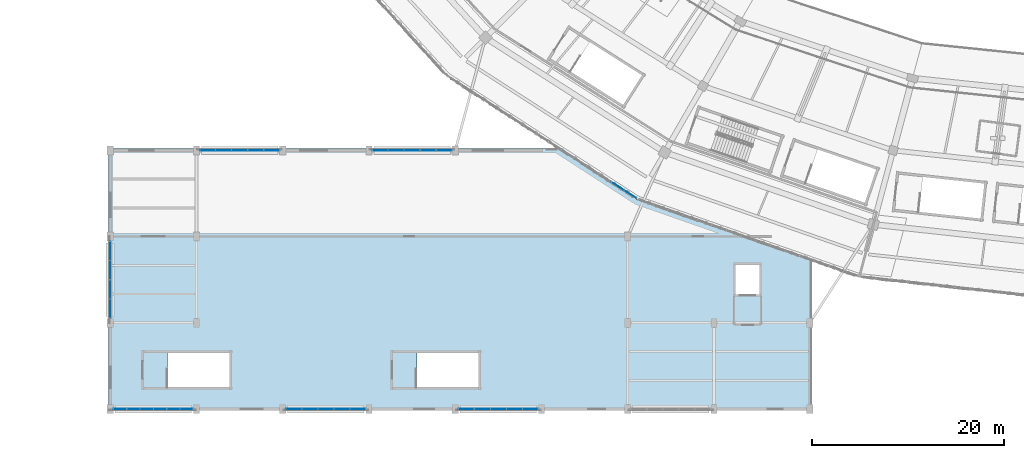
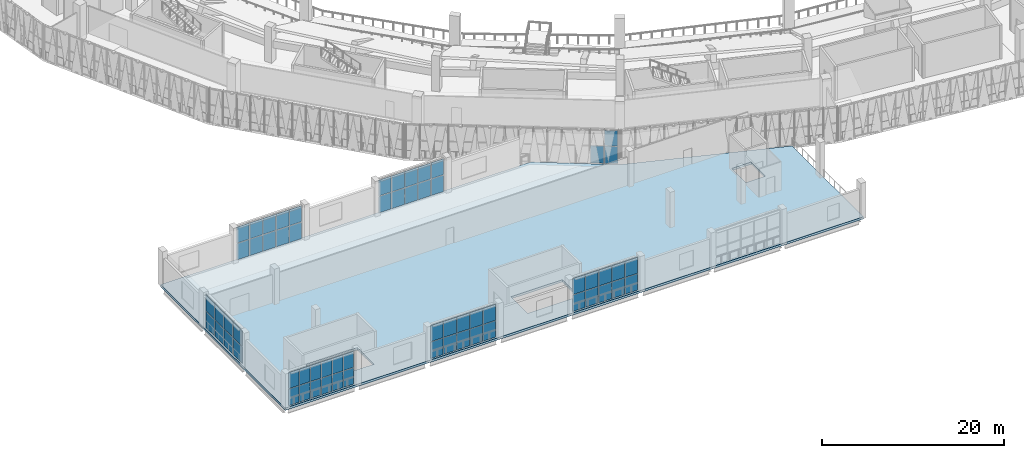
# One storey, part 70 of 152: 63 plates, 1 slab, 7 elements without a shape of their own.
"""IFC4 building model written with IfcOpenShell, lengths in metres."""

from ifc_helpers import new_model, si_unit, direction, frame, origin, origin_2d, place, context, subcontext, project, spatial, polyline, rectangle, outline, extrude, material, layer, layer_set, type_object, element, aggregate, save


model = new_model("IFC4")

# Units and contexts
model_context = context("Model", 3, precision=1e-05, world=origin(), true_north=direction((0.0, 1.0)))
body_context = subcontext(model_context, "Body", "Model", "MODEL_VIEW")
ifc_project = project(units=[si_unit("LENGTHUNIT", "METRE"), si_unit("AREAUNIT", "SQUARE_METRE"), si_unit("VOLUMEUNIT", "CUBIC_METRE"), si_unit("PLANEANGLEUNIT", "RADIAN"), si_unit("MASSUNIT", "GRAM", prefix="KILO")], contexts=[model_context])

# Site, building, storey
site_placement = place(None, origin())
site = spatial("IfcSite", under=ifc_project, at=site_placement, CompositionType="ELEMENT")
building_placement = place(site_placement, origin())
building = spatial("IfcBuilding", under=site, at=building_placement, Name="Zevraka Park Crest Stadium", CompositionType="ELEMENT")
storey_placement = place(building_placement, frame((0.0, 0.0, 15.0)))
storey = spatial("IfcBuildingStorey", under=building, at=storey_placement, Name="L03", CompositionType="ELEMENT", Elevation=15.0)

# Curtain wall, plates
ifc_material_1 = material(Name="Anodised architectural aluminium and laminated safety glass", Category="aluminium")
curtain_wall_type_1 = type_object("IfcCurtainWallType", Name="CW13", PredefinedType="NOTDEFINED", material=ifc_material_1)
curtain_wall_1_placement = place(storey_placement, origin())
curtain_wall_1 = element("IfcCurtainWall", 1, at=curtain_wall_1_placement, inside=storey, type_object=curtain_wall_type_1, Name="Unitised Ring Curtain Wall CW13 L03-15", PredefinedType="NOTDEFINED")
ifc_material_2 = material(Name="Solar-control laminated double glazing", Category="glass")
ifc_layer_1 = layer(ifc_material_2, 0.031982421875)
ifc_layer_set_1 = layer_set([ifc_layer_1], Name="Solar-control laminated double glazing")
plate_type_1 = type_object("IfcPlateType", Name="CP13", PredefinedType="CURTAIN_PANEL", material=ifc_layer_set_1)
plate_1_placement = place(storey_placement, frame((61.961181640625, 23.26708984375, 0.06005859375), z_axis=(0.0, 0.0, 1.0), x_axis=(0.839429134517, -0.543469160232, 0.0)))
plate_1 = element("IfcPlate", 2, at=plate_1_placement, type_object=plate_type_1, Name="CW13 panel 14.1", PredefinedType="CURTAIN_PANEL", context=body_context, shape_type="SweptSolid", body=[
    extrude(rectangle(XDim=1.500244140625, YDim=0.031982421875, at=origin_2d()), origin(), (0.0, 0.0, 1.0), 2.31005859375),
])
plate_2_placement = place(storey_placement, frame((63.258544921875, 22.42724609375, 0.06005859375), z_axis=(0.0, 0.0, 1.0), x_axis=(0.839429134517, -0.543469160232, 0.0)))
plate_2 = element("IfcPlate", 3, at=plate_2_placement, type_object=plate_type_1, Name="CW13 panel 15.1", PredefinedType="CURTAIN_PANEL", context=body_context, shape_type="SweptSolid", body=[
    extrude(rectangle(XDim=1.470458984375, YDim=0.031982421875, at=origin_2d()), origin(), (0.0, 0.0, 1.0), 2.31005859375),
])
plate_3_placement = place(storey_placement, frame((63.258544921875, 22.42724609375, 2.43017578125), z_axis=(0.0, 0.0, 1.0), x_axis=(0.839429134517, -0.543469160232, 0.0)))
plate_3 = element("IfcPlate", 4, at=plate_3_placement, type_object=plate_type_1, Name="CW13 panel 15.2", PredefinedType="CURTAIN_PANEL", context=body_context, shape_type="SweptSolid", body=[
    extrude(rectangle(XDim=1.470458984375, YDim=0.031982421875, at=origin_2d()), origin(), (0.0, 0.0, 1.0), 2.050048828125),
])
aggregate(curtain_wall_1, [plate_1, plate_2, plate_3])

ifc_material_3 = material(Name="Anodised architectural aluminium and laminated safety glass", Category="aluminium")
curtain_wall_type_2 = type_object("IfcCurtainWallType", Name="CW26", PredefinedType="NOTDEFINED", material=ifc_material_3)
curtain_wall_2_placement = place(storey_placement, origin())
curtain_wall_2 = element("IfcCurtainWall", 5, at=curtain_wall_2_placement, inside=storey, type_object=curtain_wall_type_2, Name="Wing Curtain Wall CW26 L03-SW-S3-8", PredefinedType="NOTDEFINED")
ifc_material_4 = material(Name="Solar-control laminated double glazing", Category="glass")
ifc_layer_2 = layer(ifc_material_4, 0.035888671875)
ifc_layer_set_2 = layer_set([ifc_layer_2], Name="Solar-control laminated double glazing")
plate_type_2 = type_object("IfcPlateType", Name="CP26", PredefinedType="CURTAIN_PANEL", material=ifc_layer_set_2)
plate_4_placement = place(storey_placement, frame((16.97119140625, 0.0, 0.06494140625), z_axis=(0.0, 0.0, 1.0), x_axis=(-1.0, 0.0, 0.0)))
plate_4 = element("IfcPlate", 6, at=plate_4_placement, type_object=plate_type_2, Name="CW26 panel 1.1", PredefinedType="CURTAIN_PANEL", context=body_context, shape_type="SweptSolid", body=[
    extrude(rectangle(XDim=1.297607421875, YDim=0.035888671875, at=origin_2d()), origin(), (0.0, 0.0, 1.0), 2.202392578125),
])
plate_5_placement = place(storey_placement, frame((16.97119140625, 0.0, 2.33251953125), z_axis=(0.0, 0.0, 1.0), x_axis=(-1.0, 0.0, 0.0)))
plate_5 = element("IfcPlate", 7, at=plate_5_placement, type_object=plate_type_2, Name="CW26 panel 1.2", PredefinedType="CURTAIN_PANEL", context=body_context, shape_type="SweptSolid", body=[
    extrude(rectangle(XDim=1.297607421875, YDim=0.035888671875, at=origin_2d()), origin(), (0.0, 0.0, 1.0), 2.142578125),
])
plate_6_placement = place(storey_placement, frame((15.592529296875, 0.0, 0.06494140625), z_axis=(0.0, 0.0, 1.0), x_axis=(-1.0, 0.0, 0.0)))
plate_6 = element("IfcPlate", 8, at=plate_6_placement, type_object=plate_type_2, Name="CW26 panel 2.1", PredefinedType="CURTAIN_PANEL", context=body_context, shape_type="SweptSolid", body=[
    extrude(rectangle(XDim=1.330078125, YDim=0.035888671875, at=origin_2d()), origin(), (0.0, 0.0, 1.0), 2.202392578125),
])
plate_7_placement = place(storey_placement, frame((15.592529296875, 0.0, 2.33251953125), z_axis=(0.0, 0.0, 1.0), x_axis=(-1.0, 0.0, 0.0)))
plate_7 = element("IfcPlate", 9, at=plate_7_placement, type_object=plate_type_2, Name="CW26 panel 2.2", PredefinedType="CURTAIN_PANEL", context=body_context, shape_type="SweptSolid", body=[
    extrude(rectangle(XDim=1.330078125, YDim=0.035888671875, at=origin_2d()), origin(), (0.0, 0.0, 1.0), 2.142578125),
])
plate_8_placement = place(storey_placement, frame((14.197509765625, 0.0, 0.06494140625), z_axis=(0.0, 0.0, 1.0), x_axis=(-1.0, 0.0, 0.0)))
plate_8 = element("IfcPlate", 10, at=plate_8_placement, type_object=plate_type_2, Name="CW26 panel 3.1", PredefinedType="CURTAIN_PANEL", context=body_context, shape_type="SweptSolid", body=[
    extrude(rectangle(XDim=1.330078125, YDim=0.035888671875, at=origin_2d()), origin(), (0.0, 0.0, 1.0), 2.202392578125),
])
plate_9_placement = place(storey_placement, frame((14.197509765625, 0.0, 2.33251953125), z_axis=(0.0, 0.0, 1.0), x_axis=(-1.0, 0.0, 0.0)))
plate_9 = element("IfcPlate", 11, at=plate_9_placement, type_object=plate_type_2, Name="CW26 panel 3.2", PredefinedType="CURTAIN_PANEL", context=body_context, shape_type="SweptSolid", body=[
    extrude(rectangle(XDim=1.330078125, YDim=0.035888671875, at=origin_2d()), origin(), (0.0, 0.0, 1.0), 2.142578125),
])
plate_10_placement = place(storey_placement, frame((12.802490234375, 0.0, 0.06494140625), z_axis=(0.0, 0.0, 1.0), x_axis=(-1.0, 0.0, 0.0)))
plate_10 = element("IfcPlate", 12, at=plate_10_placement, type_object=plate_type_2, Name="CW26 panel 4.1", PredefinedType="CURTAIN_PANEL", context=body_context, shape_type="SweptSolid", body=[
    extrude(rectangle(XDim=1.330078125, YDim=0.035888671875, at=origin_2d()), origin(), (0.0, 0.0, 1.0), 2.202392578125),
])
plate_11_placement = place(storey_placement, frame((12.802490234375, 0.0, 2.33251953125), z_axis=(0.0, 0.0, 1.0), x_axis=(-1.0, 0.0, 0.0)))
plate_11 = element("IfcPlate", 13, at=plate_11_placement, type_object=plate_type_2, Name="CW26 panel 4.2", PredefinedType="CURTAIN_PANEL", context=body_context, shape_type="SweptSolid", body=[
    extrude(rectangle(XDim=1.330078125, YDim=0.035888671875, at=origin_2d()), origin(), (0.0, 0.0, 1.0), 2.142578125),
])
plate_12_placement = place(storey_placement, frame((11.407470703125, 0.0, 0.06494140625), z_axis=(0.0, 0.0, 1.0), x_axis=(-1.0, 0.0, 0.0)))
plate_12 = element("IfcPlate", 14, at=plate_12_placement, type_object=plate_type_2, Name="CW26 panel 5.1", PredefinedType="CURTAIN_PANEL", context=body_context, shape_type="SweptSolid", body=[
    extrude(rectangle(XDim=1.330078125, YDim=0.035888671875, at=origin_2d()), origin(), (0.0, 0.0, 1.0), 2.202392578125),
])
plate_13_placement = place(storey_placement, frame((11.407470703125, 0.0, 2.33251953125), z_axis=(0.0, 0.0, 1.0), x_axis=(-1.0, 0.0, 0.0)))
plate_13 = element("IfcPlate", 15, at=plate_13_placement, type_object=plate_type_2, Name="CW26 panel 5.2", PredefinedType="CURTAIN_PANEL", context=body_context, shape_type="SweptSolid", body=[
    extrude(rectangle(XDim=1.330078125, YDim=0.035888671875, at=origin_2d()), origin(), (0.0, 0.0, 1.0), 2.142578125),
])
plate_14_placement = place(storey_placement, frame((10.02880859375, 0.0, 0.06494140625), z_axis=(0.0, 0.0, 1.0), x_axis=(-1.0, 0.0, 0.0)))
plate_14 = element("IfcPlate", 16, at=plate_14_placement, type_object=plate_type_2, Name="CW26 panel 6.1", PredefinedType="CURTAIN_PANEL", context=body_context, shape_type="SweptSolid", body=[
    extrude(rectangle(XDim=1.297607421875, YDim=0.035888671875, at=origin_2d()), origin(), (0.0, 0.0, 1.0), 2.202392578125),
])
plate_15_placement = place(storey_placement, frame((10.02880859375, 0.0, 2.33251953125), z_axis=(0.0, 0.0, 1.0), x_axis=(-1.0, 0.0, 0.0)))
plate_15 = element("IfcPlate", 17, at=plate_15_placement, type_object=plate_type_2, Name="CW26 panel 6.2", PredefinedType="CURTAIN_PANEL", context=body_context, shape_type="SweptSolid", body=[
    extrude(rectangle(XDim=1.297607421875, YDim=0.035888671875, at=origin_2d()), origin(), (0.0, 0.0, 1.0), 2.142578125),
])
aggregate(curtain_wall_2, [plate_4, plate_5, plate_6, plate_7, plate_8, plate_9, plate_10, plate_11, plate_12, plate_13, plate_14, plate_15])

ifc_material_5 = material(Name="Anodised architectural aluminium and laminated safety glass", Category="aluminium")
curtain_wall_type_3 = type_object("IfcCurtainWallType", Name="CW27", PredefinedType="NOTDEFINED", material=ifc_material_5)
curtain_wall_3_placement = place(storey_placement, origin())
curtain_wall_3 = element("IfcCurtainWall", 18, at=curtain_wall_3_placement, inside=storey, type_object=curtain_wall_type_3, Name="Wing Curtain Wall CW27 L03-SW-S3-4", PredefinedType="NOTDEFINED")
ifc_material_6 = material(Name="Solar-control laminated double glazing", Category="glass")
ifc_layer_3 = layer(ifc_material_6, 0.035888671875)
ifc_layer_set_3 = layer_set([ifc_layer_3], Name="Solar-control laminated double glazing")
plate_type_3 = type_object("IfcPlateType", Name="CP27", PredefinedType="CURTAIN_PANEL", material=ifc_layer_set_3)
plate_16_placement = place(storey_placement, frame((52.83056640625, 0.0, 0.06982421875), z_axis=(0.0, 0.0, 1.0), x_axis=(-1.0, 0.0, 0.0)))
plate_16 = element("IfcPlate", 19, at=plate_16_placement, type_object=plate_type_3, Name="CW27 panel 1.1", PredefinedType="CURTAIN_PANEL", context=body_context, shape_type="SweptSolid", body=[
    extrude(rectangle(XDim=1.569091796875, YDim=0.035888671875, at=origin_2d()), origin(), (0.0, 0.0, 1.0), 2.195068359375),
])
plate_17_placement = place(storey_placement, frame((52.83056640625, 0.0, 2.3349609375), z_axis=(0.0, 0.0, 1.0), x_axis=(-1.0, 0.0, 0.0)))
plate_17 = element("IfcPlate", 20, at=plate_17_placement, type_object=plate_type_3, Name="CW27 panel 1.2", PredefinedType="CURTAIN_PANEL", context=body_context, shape_type="SweptSolid", body=[
    extrude(rectangle(XDim=1.569091796875, YDim=0.035888671875, at=origin_2d()), origin(), (0.0, 0.0, 1.0), 2.135009765625),
])
plate_18_placement = place(storey_placement, frame((51.174072265625, 0.0, 0.06982421875), z_axis=(0.0, 0.0, 1.0), x_axis=(-1.0, 0.0, 0.0)))
plate_18 = element("IfcPlate", 21, at=plate_18_placement, type_object=plate_type_3, Name="CW27 panel 2.1", PredefinedType="CURTAIN_PANEL", context=body_context, shape_type="SweptSolid", body=[
    extrude(rectangle(XDim=1.60400390625, YDim=0.035888671875, at=origin_2d()), origin(), (0.0, 0.0, 1.0), 2.195068359375),
])
plate_19_placement = place(storey_placement, frame((51.174072265625, 0.0, 2.3349609375), z_axis=(0.0, 0.0, 1.0), x_axis=(-1.0, 0.0, 0.0)))
plate_19 = element("IfcPlate", 22, at=plate_19_placement, type_object=plate_type_3, Name="CW27 panel 2.2", PredefinedType="CURTAIN_PANEL", context=body_context, shape_type="SweptSolid", body=[
    extrude(rectangle(XDim=1.60400390625, YDim=0.035888671875, at=origin_2d()), origin(), (0.0, 0.0, 1.0), 2.135009765625),
])
plate_20_placement = place(storey_placement, frame((49.5, 0.0, 0.06982421875), z_axis=(0.0, 0.0, 1.0), x_axis=(-1.0, 0.0, 0.0)))
plate_20 = element("IfcPlate", 23, at=plate_20_placement, type_object=plate_type_3, Name="CW27 panel 3.1", PredefinedType="CURTAIN_PANEL", context=body_context, shape_type="SweptSolid", body=[
    extrude(rectangle(XDim=1.60400390625, YDim=0.035888671875, at=origin_2d()), origin(), (0.0, 0.0, 1.0), 2.195068359375),
])
plate_21_placement = place(storey_placement, frame((49.5, 0.0, 2.3349609375), z_axis=(0.0, 0.0, 1.0), x_axis=(-1.0, 0.0, 0.0)))
plate_21 = element("IfcPlate", 24, at=plate_21_placement, type_object=plate_type_3, Name="CW27 panel 3.2", PredefinedType="CURTAIN_PANEL", context=body_context, shape_type="SweptSolid", body=[
    extrude(rectangle(XDim=1.60400390625, YDim=0.035888671875, at=origin_2d()), origin(), (0.0, 0.0, 1.0), 2.135009765625),
])
plate_22_placement = place(storey_placement, frame((47.825927734375, 0.0, 0.06982421875), z_axis=(0.0, 0.0, 1.0), x_axis=(-1.0, 0.0, 0.0)))
plate_22 = element("IfcPlate", 25, at=plate_22_placement, type_object=plate_type_3, Name="CW27 panel 4.1", PredefinedType="CURTAIN_PANEL", context=body_context, shape_type="SweptSolid", body=[
    extrude(rectangle(XDim=1.60400390625, YDim=0.035888671875, at=origin_2d()), origin(), (0.0, 0.0, 1.0), 2.195068359375),
])
plate_23_placement = place(storey_placement, frame((47.825927734375, 0.0, 2.3349609375), z_axis=(0.0, 0.0, 1.0), x_axis=(-1.0, 0.0, 0.0)))
plate_23 = element("IfcPlate", 26, at=plate_23_placement, type_object=plate_type_3, Name="CW27 panel 4.2", PredefinedType="CURTAIN_PANEL", context=body_context, shape_type="SweptSolid", body=[
    extrude(rectangle(XDim=1.60400390625, YDim=0.035888671875, at=origin_2d()), origin(), (0.0, 0.0, 1.0), 2.135009765625),
])
plate_24_placement = place(storey_placement, frame((46.16943359375, 0.0, 0.06982421875), z_axis=(0.0, 0.0, 1.0), x_axis=(-1.0, 0.0, 0.0)))
plate_24 = element("IfcPlate", 27, at=plate_24_placement, type_object=plate_type_3, Name="CW27 panel 5.1", PredefinedType="CURTAIN_PANEL", context=body_context, shape_type="SweptSolid", body=[
    extrude(rectangle(XDim=1.569091796875, YDim=0.035888671875, at=origin_2d()), origin(), (0.0, 0.0, 1.0), 2.195068359375),
])
plate_25_placement = place(storey_placement, frame((46.16943359375, 0.0, 2.3349609375), z_axis=(0.0, 0.0, 1.0), x_axis=(-1.0, 0.0, 0.0)))
plate_25 = element("IfcPlate", 28, at=plate_25_placement, type_object=plate_type_3, Name="CW27 panel 5.2", PredefinedType="CURTAIN_PANEL", context=body_context, shape_type="SweptSolid", body=[
    extrude(rectangle(XDim=1.569091796875, YDim=0.035888671875, at=origin_2d()), origin(), (0.0, 0.0, 1.0), 2.135009765625),
])
aggregate(curtain_wall_3, [plate_16, plate_17, plate_18, plate_19, plate_20, plate_21, plate_22, plate_23, plate_24, plate_25])

curtain_wall_4_placement = place(storey_placement, origin())
curtain_wall_4 = element("IfcCurtainWall", 29, at=curtain_wall_4_placement, inside=storey, type_object=curtain_wall_type_3, Name="Wing Curtain Wall CW27 L03-SW-N-4", PredefinedType="NOTDEFINED")
plate_26_placement = place(storey_placement, frame((37.16943359375, 27.0, 0.06982421875), z_axis=(0.0, 0.0, 1.0), x_axis=(1.0, 0.0, 0.0)))
plate_26 = element("IfcPlate", 30, at=plate_26_placement, type_object=plate_type_3, Name="CW27 panel 1.1", PredefinedType="CURTAIN_PANEL", context=body_context, shape_type="SweptSolid", body=[
    extrude(rectangle(XDim=1.569091796875, YDim=0.035888671875, at=origin_2d()), origin(), (0.0, 0.0, 1.0), 2.195068359375),
])
plate_27_placement = place(storey_placement, frame((37.16943359375, 27.0, 2.3349609375), z_axis=(0.0, 0.0, 1.0), x_axis=(1.0, 0.0, 0.0)))
plate_27 = element("IfcPlate", 31, at=plate_27_placement, type_object=plate_type_3, Name="CW27 panel 1.2", PredefinedType="CURTAIN_PANEL", context=body_context, shape_type="SweptSolid", body=[
    extrude(rectangle(XDim=1.569091796875, YDim=0.035888671875, at=origin_2d()), origin(), (0.0, 0.0, 1.0), 2.135009765625),
])
plate_28_placement = place(storey_placement, frame((38.825927734375, 27.0, 0.06982421875), z_axis=(0.0, 0.0, 1.0), x_axis=(1.0, 0.0, 0.0)))
plate_28 = element("IfcPlate", 32, at=plate_28_placement, type_object=plate_type_3, Name="CW27 panel 2.1", PredefinedType="CURTAIN_PANEL", context=body_context, shape_type="SweptSolid", body=[
    extrude(rectangle(XDim=1.60400390625, YDim=0.035888671875, at=origin_2d()), origin(), (0.0, 0.0, 1.0), 2.195068359375),
])
plate_29_placement = place(storey_placement, frame((38.825927734375, 27.0, 2.3349609375), z_axis=(0.0, 0.0, 1.0), x_axis=(1.0, 0.0, 0.0)))
plate_29 = element("IfcPlate", 33, at=plate_29_placement, type_object=plate_type_3, Name="CW27 panel 2.2", PredefinedType="CURTAIN_PANEL", context=body_context, shape_type="SweptSolid", body=[
    extrude(rectangle(XDim=1.60400390625, YDim=0.035888671875, at=origin_2d()), origin(), (0.0, 0.0, 1.0), 2.135009765625),
])
plate_30_placement = place(storey_placement, frame((40.5, 27.0, 0.06982421875), z_axis=(0.0, 0.0, 1.0), x_axis=(1.0, 0.0, 0.0)))
plate_30 = element("IfcPlate", 34, at=plate_30_placement, type_object=plate_type_3, Name="CW27 panel 3.1", PredefinedType="CURTAIN_PANEL", context=body_context, shape_type="SweptSolid", body=[
    extrude(rectangle(XDim=1.60400390625, YDim=0.035888671875, at=origin_2d()), origin(), (0.0, 0.0, 1.0), 2.195068359375),
])
plate_31_placement = place(storey_placement, frame((40.5, 27.0, 2.3349609375), z_axis=(0.0, 0.0, 1.0), x_axis=(1.0, 0.0, 0.0)))
plate_31 = element("IfcPlate", 35, at=plate_31_placement, type_object=plate_type_3, Name="CW27 panel 3.2", PredefinedType="CURTAIN_PANEL", context=body_context, shape_type="SweptSolid", body=[
    extrude(rectangle(XDim=1.60400390625, YDim=0.035888671875, at=origin_2d()), origin(), (0.0, 0.0, 1.0), 2.135009765625),
])
plate_32_placement = place(storey_placement, frame((42.174072265625, 27.0, 0.06982421875), z_axis=(0.0, 0.0, 1.0), x_axis=(1.0, 0.0, 0.0)))
plate_32 = element("IfcPlate", 36, at=plate_32_placement, type_object=plate_type_3, Name="CW27 panel 4.1", PredefinedType="CURTAIN_PANEL", context=body_context, shape_type="SweptSolid", body=[
    extrude(rectangle(XDim=1.60400390625, YDim=0.035888671875, at=origin_2d()), origin(), (0.0, 0.0, 1.0), 2.195068359375),
])
plate_33_placement = place(storey_placement, frame((42.174072265625, 27.0, 2.3349609375), z_axis=(0.0, 0.0, 1.0), x_axis=(1.0, 0.0, 0.0)))
plate_33 = element("IfcPlate", 37, at=plate_33_placement, type_object=plate_type_3, Name="CW27 panel 4.2", PredefinedType="CURTAIN_PANEL", context=body_context, shape_type="SweptSolid", body=[
    extrude(rectangle(XDim=1.60400390625, YDim=0.035888671875, at=origin_2d()), origin(), (0.0, 0.0, 1.0), 2.135009765625),
])
plate_34_placement = place(storey_placement, frame((43.83056640625, 27.0, 0.06982421875), z_axis=(0.0, 0.0, 1.0), x_axis=(1.0, 0.0, 0.0)))
plate_34 = element("IfcPlate", 38, at=plate_34_placement, type_object=plate_type_3, Name="CW27 panel 5.1", PredefinedType="CURTAIN_PANEL", context=body_context, shape_type="SweptSolid", body=[
    extrude(rectangle(XDim=1.569091796875, YDim=0.035888671875, at=origin_2d()), origin(), (0.0, 0.0, 1.0), 2.195068359375),
])
plate_35_placement = place(storey_placement, frame((43.83056640625, 27.0, 2.3349609375), z_axis=(0.0, 0.0, 1.0), x_axis=(1.0, 0.0, 0.0)))
plate_35 = element("IfcPlate", 39, at=plate_35_placement, type_object=plate_type_3, Name="CW27 panel 5.2", PredefinedType="CURTAIN_PANEL", context=body_context, shape_type="SweptSolid", body=[
    extrude(rectangle(XDim=1.569091796875, YDim=0.035888671875, at=origin_2d()), origin(), (0.0, 0.0, 1.0), 2.135009765625),
])
aggregate(curtain_wall_4, [plate_26, plate_27, plate_28, plate_29, plate_30, plate_31, plate_32, plate_33, plate_34, plate_35])

ifc_material_7 = material(Name="Anodised architectural aluminium and laminated safety glass", Category="aluminium")
curtain_wall_type_4 = type_object("IfcCurtainWallType", Name="CW29", PredefinedType="NOTDEFINED", material=ifc_material_7)
curtain_wall_5_placement = place(storey_placement, origin())
curtain_wall_5 = element("IfcCurtainWall", 40, at=curtain_wall_5_placement, inside=storey, type_object=curtain_wall_type_4, Name="Wing Curtain Wall CW29 L03-SW-S3-6", PredefinedType="NOTDEFINED")
ifc_material_8 = material(Name="Solar-control laminated double glazing", Category="glass")
ifc_layer_4 = layer(ifc_material_8, 0.035888671875)
ifc_layer_set_4 = layer_set([ifc_layer_4], Name="Solar-control laminated double glazing")
plate_type_4 = type_object("IfcPlateType", Name="CP29", PredefinedType="CURTAIN_PANEL", material=ifc_layer_set_4)
plate_36_placement = place(storey_placement, frame((34.831787109375, 0.0, 0.06494140625), z_axis=(0.0, 0.0, 1.0), x_axis=(-1.0, 0.0, 0.0)))
plate_36 = element("IfcPlate", 41, at=plate_36_placement, type_object=plate_type_4, Name="CW29 panel 1.1", PredefinedType="CURTAIN_PANEL", context=body_context, shape_type="SweptSolid", body=[
    extrude(rectangle(XDim=1.576416015625, YDim=0.035888671875, at=origin_2d()), origin(), (0.0, 0.0, 1.0), 2.202392578125),
])
plate_37_placement = place(storey_placement, frame((34.831787109375, 0.0, 2.33251953125), z_axis=(0.0, 0.0, 1.0), x_axis=(-1.0, 0.0, 0.0)))
plate_37 = element("IfcPlate", 42, at=plate_37_placement, type_object=plate_type_4, Name="CW29 panel 1.2", PredefinedType="CURTAIN_PANEL", context=body_context, shape_type="SweptSolid", body=[
    extrude(rectangle(XDim=1.576416015625, YDim=0.035888671875, at=origin_2d()), origin(), (0.0, 0.0, 1.0), 2.142578125),
])
plate_38_placement = place(storey_placement, frame((33.174072265625, 0.0, 0.06494140625), z_axis=(0.0, 0.0, 1.0), x_axis=(-1.0, 0.0, 0.0)))
plate_38 = element("IfcPlate", 43, at=plate_38_placement, type_object=plate_type_4, Name="CW29 panel 2.1", PredefinedType="CURTAIN_PANEL", context=body_context, shape_type="SweptSolid", body=[
    extrude(rectangle(XDim=1.60888671875, YDim=0.035888671875, at=origin_2d()), origin(), (0.0, 0.0, 1.0), 2.202392578125),
])
plate_39_placement = place(storey_placement, frame((33.174072265625, 0.0, 2.33251953125), z_axis=(0.0, 0.0, 1.0), x_axis=(-1.0, 0.0, 0.0)))
plate_39 = element("IfcPlate", 44, at=plate_39_placement, type_object=plate_type_4, Name="CW29 panel 2.2", PredefinedType="CURTAIN_PANEL", context=body_context, shape_type="SweptSolid", body=[
    extrude(rectangle(XDim=1.60888671875, YDim=0.035888671875, at=origin_2d()), origin(), (0.0, 0.0, 1.0), 2.142578125),
])
plate_40_placement = place(storey_placement, frame((31.5, 0.0, 0.06494140625), z_axis=(0.0, 0.0, 1.0), x_axis=(-1.0, 0.0, 0.0)))
plate_40 = element("IfcPlate", 45, at=plate_40_placement, type_object=plate_type_4, Name="CW29 panel 3.1", PredefinedType="CURTAIN_PANEL", context=body_context, shape_type="SweptSolid", body=[
    extrude(rectangle(XDim=1.60888671875, YDim=0.035888671875, at=origin_2d()), origin(), (0.0, 0.0, 1.0), 2.202392578125),
])
plate_41_placement = place(storey_placement, frame((31.5, 0.0, 2.33251953125), z_axis=(0.0, 0.0, 1.0), x_axis=(-1.0, 0.0, 0.0)))
plate_41 = element("IfcPlate", 46, at=plate_41_placement, type_object=plate_type_4, Name="CW29 panel 3.2", PredefinedType="CURTAIN_PANEL", context=body_context, shape_type="SweptSolid", body=[
    extrude(rectangle(XDim=1.60888671875, YDim=0.035888671875, at=origin_2d()), origin(), (0.0, 0.0, 1.0), 2.142578125),
])
plate_42_placement = place(storey_placement, frame((29.825927734375, 0.0, 0.06494140625), z_axis=(0.0, 0.0, 1.0), x_axis=(-1.0, 0.0, 0.0)))
plate_42 = element("IfcPlate", 47, at=plate_42_placement, type_object=plate_type_4, Name="CW29 panel 4.1", PredefinedType="CURTAIN_PANEL", context=body_context, shape_type="SweptSolid", body=[
    extrude(rectangle(XDim=1.60888671875, YDim=0.035888671875, at=origin_2d()), origin(), (0.0, 0.0, 1.0), 2.202392578125),
])
plate_43_placement = place(storey_placement, frame((29.825927734375, 0.0, 2.33251953125), z_axis=(0.0, 0.0, 1.0), x_axis=(-1.0, 0.0, 0.0)))
plate_43 = element("IfcPlate", 48, at=plate_43_placement, type_object=plate_type_4, Name="CW29 panel 4.2", PredefinedType="CURTAIN_PANEL", context=body_context, shape_type="SweptSolid", body=[
    extrude(rectangle(XDim=1.60888671875, YDim=0.035888671875, at=origin_2d()), origin(), (0.0, 0.0, 1.0), 2.142578125),
])
plate_44_placement = place(storey_placement, frame((28.168212890625, 0.0, 0.06494140625), z_axis=(0.0, 0.0, 1.0), x_axis=(-1.0, 0.0, 0.0)))
plate_44 = element("IfcPlate", 49, at=plate_44_placement, type_object=plate_type_4, Name="CW29 panel 5.1", PredefinedType="CURTAIN_PANEL", context=body_context, shape_type="SweptSolid", body=[
    extrude(rectangle(XDim=1.576416015625, YDim=0.035888671875, at=origin_2d()), origin(), (0.0, 0.0, 1.0), 2.202392578125),
])
plate_45_placement = place(storey_placement, frame((28.168212890625, 0.0, 2.33251953125), z_axis=(0.0, 0.0, 1.0), x_axis=(-1.0, 0.0, 0.0)))
plate_45 = element("IfcPlate", 50, at=plate_45_placement, type_object=plate_type_4, Name="CW29 panel 5.2", PredefinedType="CURTAIN_PANEL", context=body_context, shape_type="SweptSolid", body=[
    extrude(rectangle(XDim=1.576416015625, YDim=0.035888671875, at=origin_2d()), origin(), (0.0, 0.0, 1.0), 2.142578125),
])
aggregate(curtain_wall_5, [plate_36, plate_37, plate_38, plate_39, plate_40, plate_41, plate_42, plate_43, plate_44, plate_45])

ifc_material_9 = material(Name="Anodised architectural aluminium and laminated safety glass", Category="aluminium")
curtain_wall_type_5 = type_object("IfcCurtainWallType", Name="CW30", PredefinedType="NOTDEFINED", material=ifc_material_9)
curtain_wall_6_placement = place(storey_placement, origin())
curtain_wall_6 = element("IfcCurtainWall", 51, at=curtain_wall_6_placement, inside=storey, type_object=curtain_wall_type_5, Name="Wing Curtain Wall CW30 L03-SW-W-2", PredefinedType="NOTDEFINED")
ifc_material_10 = material(Name="Solar-control laminated double glazing", Category="glass")
ifc_layer_5 = layer(ifc_material_10, 0.035888671875)
ifc_layer_set_5 = layer_set([ifc_layer_5], Name="Solar-control laminated double glazing")
plate_type_5 = type_object("IfcPlateType", Name="CP30", PredefinedType="CURTAIN_PANEL", material=ifc_layer_set_5)
plate_46_placement = place(storey_placement, frame((9.0, 10.4912109375, 0.06982421875), z_axis=(0.0, 0.0, 1.0), x_axis=(0.0, 1.0, 0.0)))
plate_46 = element("IfcPlate", 52, at=plate_46_placement, type_object=plate_type_5, Name="CW30 panel 1.1", PredefinedType="CURTAIN_PANEL", context=body_context, shape_type="SweptSolid", body=[
    extrude(rectangle(XDim=1.91259765625, YDim=0.035888671875, at=origin_2d()), origin(), (0.0, 0.0, 1.0), 2.195068359375),
])
plate_47_placement = place(storey_placement, frame((9.0, 10.4912109375, 2.3349609375), z_axis=(0.0, 0.0, 1.0), x_axis=(0.0, 1.0, 0.0)))
plate_47 = element("IfcPlate", 53, at=plate_47_placement, type_object=plate_type_5, Name="CW30 panel 1.2", PredefinedType="CURTAIN_PANEL", context=body_context, shape_type="SweptSolid", body=[
    extrude(rectangle(XDim=1.91259765625, YDim=0.035888671875, at=origin_2d()), origin(), (0.0, 0.0, 1.0), 2.135009765625),
])
plate_48_placement = place(storey_placement, frame((9.0, 12.4912109375, 0.06982421875), z_axis=(0.0, 0.0, 1.0), x_axis=(0.0, 1.0, 0.0)))
plate_48 = element("IfcPlate", 54, at=plate_48_placement, type_object=plate_type_5, Name="CW30 panel 2.1", PredefinedType="CURTAIN_PANEL", context=body_context, shape_type="SweptSolid", body=[
    extrude(rectangle(XDim=1.947509765625, YDim=0.035888671875, at=origin_2d()), origin(), (0.0, 0.0, 1.0), 2.195068359375),
])
plate_49_placement = place(storey_placement, frame((9.0, 12.4912109375, 2.3349609375), z_axis=(0.0, 0.0, 1.0), x_axis=(0.0, 1.0, 0.0)))
plate_49 = element("IfcPlate", 55, at=plate_49_placement, type_object=plate_type_5, Name="CW30 panel 2.2", PredefinedType="CURTAIN_PANEL", context=body_context, shape_type="SweptSolid", body=[
    extrude(rectangle(XDim=1.947509765625, YDim=0.035888671875, at=origin_2d()), origin(), (0.0, 0.0, 1.0), 2.135009765625),
])
plate_50_placement = place(storey_placement, frame((9.0, 14.5087890625, 0.06982421875), z_axis=(0.0, 0.0, 1.0), x_axis=(0.0, 1.0, 0.0)))
plate_50 = element("IfcPlate", 56, at=plate_50_placement, type_object=plate_type_5, Name="CW30 panel 3.1", PredefinedType="CURTAIN_PANEL", context=body_context, shape_type="SweptSolid", body=[
    extrude(rectangle(XDim=1.947509765625, YDim=0.035888671875, at=origin_2d()), origin(), (0.0, 0.0, 1.0), 2.195068359375),
])
plate_51_placement = place(storey_placement, frame((9.0, 14.5087890625, 2.3349609375), z_axis=(0.0, 0.0, 1.0), x_axis=(0.0, 1.0, 0.0)))
plate_51 = element("IfcPlate", 57, at=plate_51_placement, type_object=plate_type_5, Name="CW30 panel 3.2", PredefinedType="CURTAIN_PANEL", context=body_context, shape_type="SweptSolid", body=[
    extrude(rectangle(XDim=1.947509765625, YDim=0.035888671875, at=origin_2d()), origin(), (0.0, 0.0, 1.0), 2.135009765625),
])
plate_52_placement = place(storey_placement, frame((9.0, 16.5087890625, 0.06982421875), z_axis=(0.0, 0.0, 1.0), x_axis=(0.0, 1.0, 0.0)))
plate_52 = element("IfcPlate", 58, at=plate_52_placement, type_object=plate_type_5, Name="CW30 panel 4.1", PredefinedType="CURTAIN_PANEL", context=body_context, shape_type="SweptSolid", body=[
    extrude(rectangle(XDim=1.91259765625, YDim=0.035888671875, at=origin_2d()), origin(), (0.0, 0.0, 1.0), 2.195068359375),
])
plate_53_placement = place(storey_placement, frame((9.0, 16.5087890625, 2.3349609375), z_axis=(0.0, 0.0, 1.0), x_axis=(0.0, 1.0, 0.0)))
plate_53 = element("IfcPlate", 59, at=plate_53_placement, type_object=plate_type_5, Name="CW30 panel 4.2", PredefinedType="CURTAIN_PANEL", context=body_context, shape_type="SweptSolid", body=[
    extrude(rectangle(XDim=1.91259765625, YDim=0.035888671875, at=origin_2d()), origin(), (0.0, 0.0, 1.0), 2.135009765625),
])
aggregate(curtain_wall_6, [plate_46, plate_47, plate_48, plate_49, plate_50, plate_51, plate_52, plate_53])

curtain_wall_7_placement = place(storey_placement, origin())
curtain_wall_7 = element("IfcCurtainWall", 60, at=curtain_wall_7_placement, inside=storey, type_object=curtain_wall_type_5, Name="Wing Curtain Wall CW30 L03-SW-N-2", PredefinedType="NOTDEFINED")
plate_54_placement = place(storey_placement, frame((19.16943359375, 27.0, 0.06982421875), z_axis=(0.0, 0.0, 1.0), x_axis=(1.0, 0.0, 0.0)))
plate_54 = element("IfcPlate", 61, at=plate_54_placement, type_object=plate_type_5, Name="CW30 panel 1.1", PredefinedType="CURTAIN_PANEL", context=body_context, shape_type="SweptSolid", body=[
    extrude(rectangle(XDim=1.569091796875, YDim=0.035888671875, at=origin_2d()), origin(), (0.0, 0.0, 1.0), 2.195068359375),
])
plate_55_placement = place(storey_placement, frame((19.16943359375, 27.0, 2.3349609375), z_axis=(0.0, 0.0, 1.0), x_axis=(1.0, 0.0, 0.0)))
plate_55 = element("IfcPlate", 62, at=plate_55_placement, type_object=plate_type_5, Name="CW30 panel 1.2", PredefinedType="CURTAIN_PANEL", context=body_context, shape_type="SweptSolid", body=[
    extrude(rectangle(XDim=1.569091796875, YDim=0.035888671875, at=origin_2d()), origin(), (0.0, 0.0, 1.0), 2.135009765625),
])
plate_56_placement = place(storey_placement, frame((20.825927734375, 27.0, 0.06982421875), z_axis=(0.0, 0.0, 1.0), x_axis=(1.0, 0.0, 0.0)))
plate_56 = element("IfcPlate", 63, at=plate_56_placement, type_object=plate_type_5, Name="CW30 panel 2.1", PredefinedType="CURTAIN_PANEL", context=body_context, shape_type="SweptSolid", body=[
    extrude(rectangle(XDim=1.60400390625, YDim=0.035888671875, at=origin_2d()), origin(), (0.0, 0.0, 1.0), 2.195068359375),
])
plate_57_placement = place(storey_placement, frame((20.825927734375, 27.0, 2.3349609375), z_axis=(0.0, 0.0, 1.0), x_axis=(1.0, 0.0, 0.0)))
plate_57 = element("IfcPlate", 64, at=plate_57_placement, type_object=plate_type_5, Name="CW30 panel 2.2", PredefinedType="CURTAIN_PANEL", context=body_context, shape_type="SweptSolid", body=[
    extrude(rectangle(XDim=1.60400390625, YDim=0.035888671875, at=origin_2d()), origin(), (0.0, 0.0, 1.0), 2.135009765625),
])
plate_58_placement = place(storey_placement, frame((22.5, 27.0, 0.06982421875), z_axis=(0.0, 0.0, 1.0), x_axis=(1.0, 0.0, 0.0)))
plate_58 = element("IfcPlate", 65, at=plate_58_placement, type_object=plate_type_5, Name="CW30 panel 3.1", PredefinedType="CURTAIN_PANEL", context=body_context, shape_type="SweptSolid", body=[
    extrude(rectangle(XDim=1.60400390625, YDim=0.035888671875, at=origin_2d()), origin(), (0.0, 0.0, 1.0), 2.195068359375),
])
plate_59_placement = place(storey_placement, frame((22.5, 27.0, 2.3349609375), z_axis=(0.0, 0.0, 1.0), x_axis=(1.0, 0.0, 0.0)))
plate_59 = element("IfcPlate", 66, at=plate_59_placement, type_object=plate_type_5, Name="CW30 panel 3.2", PredefinedType="CURTAIN_PANEL", context=body_context, shape_type="SweptSolid", body=[
    extrude(rectangle(XDim=1.60400390625, YDim=0.035888671875, at=origin_2d()), origin(), (0.0, 0.0, 1.0), 2.135009765625),
])
plate_60_placement = place(storey_placement, frame((24.174072265625, 27.0, 0.06982421875), z_axis=(0.0, 0.0, 1.0), x_axis=(1.0, 0.0, 0.0)))
plate_60 = element("IfcPlate", 67, at=plate_60_placement, type_object=plate_type_5, Name="CW30 panel 4.1", PredefinedType="CURTAIN_PANEL", context=body_context, shape_type="SweptSolid", body=[
    extrude(rectangle(XDim=1.60400390625, YDim=0.035888671875, at=origin_2d()), origin(), (0.0, 0.0, 1.0), 2.195068359375),
])
plate_61_placement = place(storey_placement, frame((24.174072265625, 27.0, 2.3349609375), z_axis=(0.0, 0.0, 1.0), x_axis=(1.0, 0.0, 0.0)))
plate_61 = element("IfcPlate", 68, at=plate_61_placement, type_object=plate_type_5, Name="CW30 panel 4.2", PredefinedType="CURTAIN_PANEL", context=body_context, shape_type="SweptSolid", body=[
    extrude(rectangle(XDim=1.60400390625, YDim=0.035888671875, at=origin_2d()), origin(), (0.0, 0.0, 1.0), 2.135009765625),
])
plate_62_placement = place(storey_placement, frame((25.83056640625, 27.0, 0.06982421875), z_axis=(0.0, 0.0, 1.0), x_axis=(1.0, 0.0, 0.0)))
plate_62 = element("IfcPlate", 69, at=plate_62_placement, type_object=plate_type_5, Name="CW30 panel 5.1", PredefinedType="CURTAIN_PANEL", context=body_context, shape_type="SweptSolid", body=[
    extrude(rectangle(XDim=1.569091796875, YDim=0.035888671875, at=origin_2d()), origin(), (0.0, 0.0, 1.0), 2.195068359375),
])
plate_63_placement = place(storey_placement, frame((25.83056640625, 27.0, 2.3349609375), z_axis=(0.0, 0.0, 1.0), x_axis=(1.0, 0.0, 0.0)))
plate_63 = element("IfcPlate", 70, at=plate_63_placement, type_object=plate_type_5, Name="CW30 panel 5.2", PredefinedType="CURTAIN_PANEL", context=body_context, shape_type="SweptSolid", body=[
    extrude(rectangle(XDim=1.569091796875, YDim=0.035888671875, at=origin_2d()), origin(), (0.0, 0.0, 1.0), 2.135009765625),
])
aggregate(curtain_wall_7, [plate_54, plate_55, plate_56, plate_57, plate_58, plate_59, plate_60, plate_61, plate_62, plate_63])

# Slab
ifc_material_11 = material(Name="Concrete C35/45", Category="concrete")
ifc_layer_6 = layer(ifc_material_11, 0.300048828125)
ifc_layer_set_6 = layer_set([ifc_layer_6], Name="Concrete C35/45")
slab_type = type_object("IfcSlabType", Name="FS01", PredefinedType="FLOOR", material=ifc_layer_set_6)
slab_placement = place(storey_placement, frame((0.0, 0.0, -0.300048828125)))
element("IfcSlab", 71, at=slab_placement, inside=storey, type_object=slab_type, Name="South Street Broadcast, Press Auditorium and Central Plant Wing Floor Slab L03-1", PredefinedType="FLOOR", context=body_context, shape_type="SweptSolid", body=[
    extrude(outline(polyline([(63.998046875, 21.847900390625), (82.175048828125, 15.4951171875), (82.175048828125, -0.175048828125), (8.824951171875, -0.175048828125), (8.824951171875, 27.175048828125), (55.76904296875, 27.175048828125), (63.998046875, 21.847900390625)]), holes=[polyline([(14.97998046875, 2.25), (21.5, 2.25), (21.5, 5.909912109375), (14.97998046875, 5.909912109375), (14.97998046875, 2.25)]), polyline([(40.97998046875, 5.909912109375), (40.97998046875, 2.25), (47.5, 2.25), (47.5, 5.909912109375), (40.97998046875, 5.909912109375)]), polyline([(74.25, 15.050048828125), (74.25, 11.949951171875), (76.75, 11.949951171875), (76.75, 15.050048828125), (74.25, 15.050048828125)])]), origin(), (0.0, 0.0, 1.0), 0.300048828125),
])

save(model, "model.ifc")
